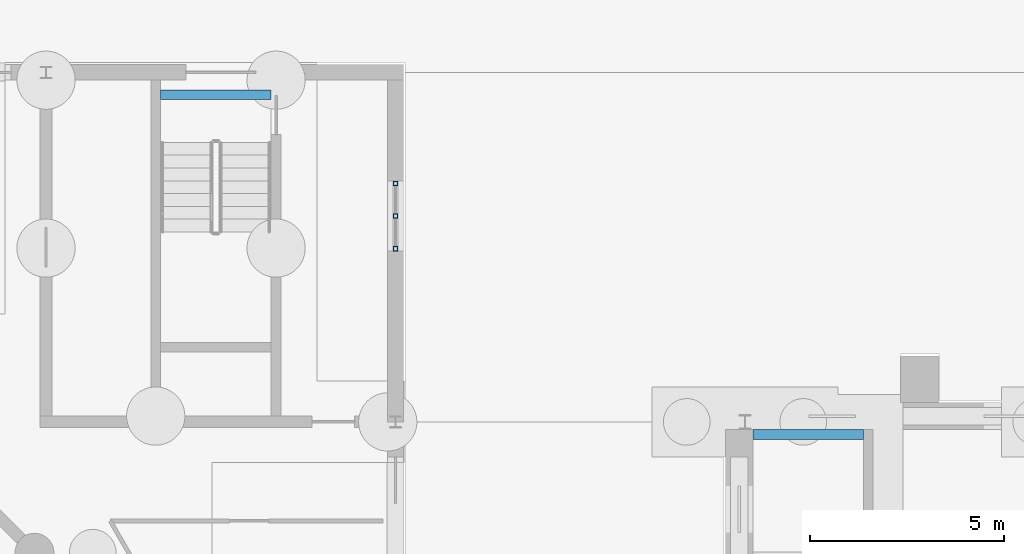
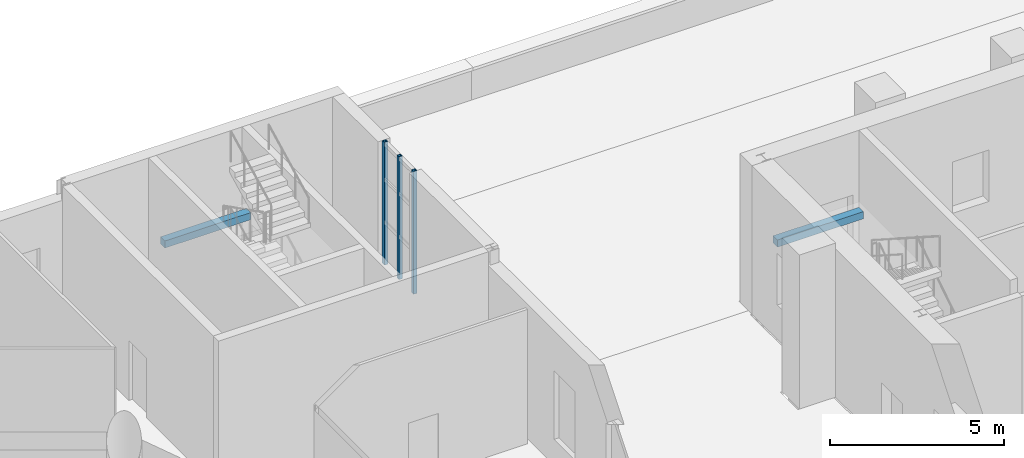
# One storey, part 68 of 168: 3 members, 2 beams, 1 element without a shape of its own.
"""IFC4 building model written with IfcOpenShell, lengths in metres."""

from ifc_helpers import new_model, si_unit, direction, frame, origin, origin_2d, place, context, subcontext, project, spatial, rectangle, hollow_rectangle, extrude, material, material_profile, profile_set, type_object, element, aggregate, save


model = new_model("IFC4")

# Units and contexts
model_context = context("Model", 3, precision=1e-05, world=origin(), true_north=direction((0.0, 1.0)))
body_context = subcontext(model_context, "Body", "Model", "MODEL_VIEW")
ifc_project = project(units=[si_unit("LENGTHUNIT", "METRE"), si_unit("AREAUNIT", "SQUARE_METRE"), si_unit("VOLUMEUNIT", "CUBIC_METRE"), si_unit("PLANEANGLEUNIT", "RADIAN"), si_unit("MASSUNIT", "GRAM", prefix="KILO")], contexts=[model_context])

# Site, building, storey
site_placement = place(None, origin())
site = spatial("IfcSite", under=ifc_project, at=site_placement, CompositionType="ELEMENT")
building_placement = place(site_placement, origin())
building = spatial("IfcBuilding", under=site, at=building_placement, Name="Golden Quay Civic Hall", CompositionType="ELEMENT")
storey_placement = place(building_placement, origin())
storey = spatial("IfcBuildingStorey", under=building, at=storey_placement, Name="L00", CompositionType="ELEMENT", Elevation=0.0)

# Curtain wall, members
ifc_material_1 = material(Name="Fire-resisting glass and steel", Category="steel")
curtain_wall_type = type_object("IfcCurtainWallType", Name="Fire-resisting glazed stair curtain wall EI 120", PredefinedType="NOTDEFINED", material=ifc_material_1)
curtain_wall_placement = place(storey_placement, origin())
curtain_wall = element("IfcCurtainWall", 1, at=curtain_wall_placement, inside=storey, type_object=curtain_wall_type, Name="CW4 stair curtain wall", PredefinedType="NOTDEFINED")
ifc_material_2 = material(Name="Steel S355", Category="steel")
ifc_material_profile_1 = material_profile(ifc_material_2, hollow_rectangle(XDim=0.1201171875, YDim=0.1201171875, WallThickness=0.012451171875, at=origin_2d()), Name="SHS 120x120x12.5")
ifc_profile_set_1 = profile_set([ifc_material_profile_1], Name="Steel S355")
member_type = type_object("IfcMemberType", Name="Fire-resisting steel stair mullion 120 x 120", PredefinedType="MULLION", material=ifc_profile_set_1)
member_1_placement = place(storey_placement, frame((108.0, 103.4599609375, 0.89990234375), z_axis=(0.0, 0.0, 1.0), x_axis=(-1.0, 0.0, 0.0)))
member_1 = element("IfcMember", 2, at=member_1_placement, type_object=member_type, Name="CW4 mullion 1", PredefinedType="MULLION", context=body_context, shape_type="SweptSolid", body=[
    extrude(hollow_rectangle(XDim=0.1201171875, YDim=0.1201171875, WallThickness=0.012451171875, at=origin_2d()), origin(), (0.0, 0.0, 1.0), 4.300048828125),
])
member_2_placement = place(storey_placement, frame((108.0, 104.300048828125, 0.89990234375), z_axis=(0.0, 0.0, 1.0), x_axis=(-1.0, 0.0, 0.0)))
member_2 = element("IfcMember", 3, at=member_2_placement, type_object=member_type, Name="CW4 mullion 2", PredefinedType="MULLION", context=body_context, shape_type="SweptSolid", body=[
    extrude(hollow_rectangle(XDim=0.1201171875, YDim=0.1201171875, WallThickness=0.012451171875, at=origin_2d()), origin(), (0.0, 0.0, 1.0), 4.300048828125),
])
member_3_placement = place(storey_placement, frame((108.0, 105.139892578125, 0.89990234375), z_axis=(0.0, 0.0, 1.0), x_axis=(-1.0, 0.0, 0.0)))
member_3 = element("IfcMember", 4, at=member_3_placement, type_object=member_type, Name="CW4 mullion 3", PredefinedType="MULLION", context=body_context, shape_type="SweptSolid", body=[
    extrude(hollow_rectangle(XDim=0.1201171875, YDim=0.1201171875, WallThickness=0.012451171875, at=origin_2d()), origin(), (0.0, 0.0, 1.0), 4.300048828125),
])
aggregate(curtain_wall, [member_1, member_2, member_3])

# Beams
ifc_material_3 = material(Name="Concrete C35/45", Category="concrete")
ifc_material_profile_2 = material_profile(ifc_material_3, rectangle(XDim=0.25, YDim=0.25, at=origin_2d()), Name="RC 250x250")
ifc_profile_set_2 = profile_set([ifc_material_profile_2], Name="Concrete C35/45")
beam_type = type_object("IfcBeamType", Name="Reinforced concrete landing beam 250x250", PredefinedType="BEAM", material=ifc_profile_set_2)
for number, where, z_axis, x_axis, name in (
    (5, (101.949951171875, 107.425048828125, 2.375), (1.0, 0.0, 0.0), (0.0, 1.0, 0.0), "L00 CB-NE L00 near landing 1 trimmer beam 1"),
    (6, (120.050048828125, 98.675048828125, 2.375), (-1.0, 0.0, 0.0), (0.0, -1.0, 0.0), "L00 LB-STN L00 far landing trimmer beam 2"),
):
    element("IfcBeam", number, at=place(storey_placement, frame(where, z_axis=z_axis, x_axis=x_axis)), inside=storey, type_object=beam_type, Name=name, PredefinedType="BEAM", context=body_context, shape_type="SweptSolid", body=[
        extrude(rectangle(XDim=0.25, YDim=0.25, at=origin_2d()), origin(), (0.0, 0.0, 1.0), 2.85009765625),
    ])

save(model, "model.ifc")
